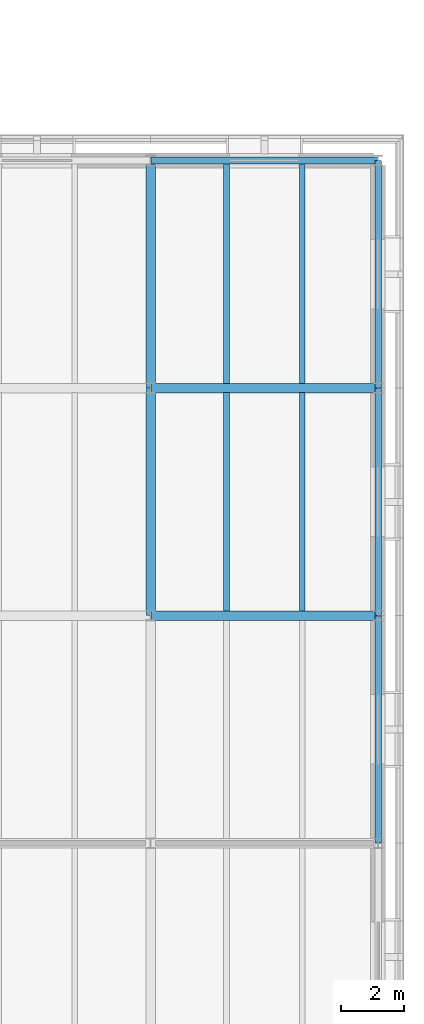
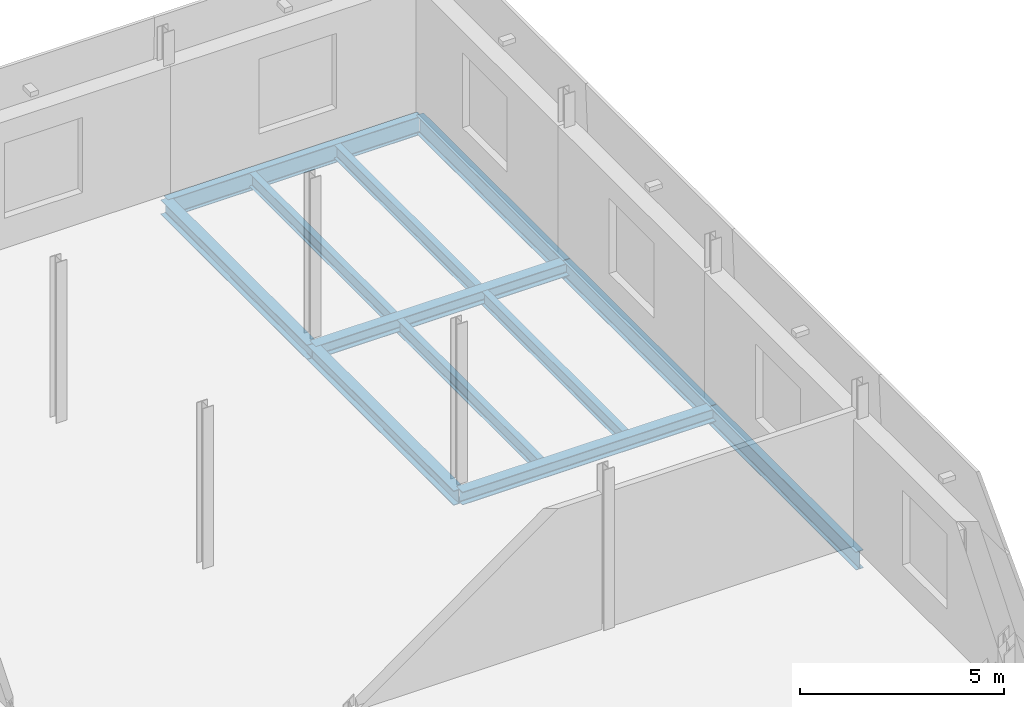
# One storey, part 43 of 121: 12 beams.
"""IFC4 building model written with IfcOpenShell, lengths in metres."""

from ifc_helpers import new_model, si_unit, direction, frame, origin, origin_2d, place, context, subcontext, project, spatial, i_section, extrude, material, material_profile, profile_set, type_object, element, save


model = new_model("IFC4")

# Units and contexts
model_context = context("Model", 3, precision=1e-05, world=origin(), true_north=direction((0.0, 1.0)))
body_context = subcontext(model_context, "Body", "Model", "MODEL_VIEW")
ifc_project = project(units=[si_unit("LENGTHUNIT", "METRE"), si_unit("AREAUNIT", "SQUARE_METRE"), si_unit("VOLUMEUNIT", "CUBIC_METRE"), si_unit("PLANEANGLEUNIT", "RADIAN"), si_unit("MASSUNIT", "GRAM", prefix="KILO")], contexts=[model_context])

# Site, building, storey
site_placement = place(None, origin())
site = spatial("IfcSite", under=ifc_project, at=site_placement, CompositionType="ELEMENT")
building_placement = place(site_placement, origin())
building = spatial("IfcBuilding", under=site, at=building_placement, Name="Narikvali Park Central Library", CompositionType="ELEMENT")
storey_placement = place(building_placement, frame((0.0, 0.0, 5.39990234375)))
storey = spatial("IfcBuildingStorey", under=building, at=storey_placement, Name="L01", CompositionType="ELEMENT", Elevation=5.39990234375)

# Beams
ifc_material = material(Name="Steel S355", Category="steel")
ifc_material_profile_1 = material_profile(ifc_material, i_section(OverallWidth=0.179931640625, OverallDepth=0.39990234375, WebThickness=0.008544921875, FlangeThickness=0.013427734375, FilletRadius=0.02099609375, at=origin_2d()), Name="IPE 400")
ifc_profile_set_1 = profile_set([ifc_material_profile_1], Name="Steel S355")
beam_type_1 = type_object("IfcBeamType", Name="Composite Floor Joist IPE400", PredefinedType="JOIST", material=ifc_profile_set_1)
for number, where, z_axis, x_axis, name in (
    (1, (160.800048828125, 36.14990234375, -0.47998046875), (0.0, 1.0, 0.0), (-1.0, 0.0, 0.0), "V6 L01 Composite Joist 1"),
    (2, (163.199951171875, 36.14990234375, -0.47998046875), (0.0, 1.0, 0.0), (-1.0, 0.0, 0.0), "V6 L01 Composite Joist 2"),
):
    element("IfcBeam", number, at=place(storey_placement, frame(where, z_axis=z_axis, x_axis=x_axis)), inside=storey, type_object=beam_type_1, Name=name, PredefinedType="JOIST", context=body_context, shape_type="SweptSolid", body=[
        extrude(i_section(OverallWidth=0.179931640625, OverallDepth=0.39990234375, WebThickness=0.008544921875, FlangeThickness=0.013427734375, FilletRadius=0.02099609375, at=origin_2d()), origin(), (0.0, 0.0, 1.0), 6.900146484375),
    ])
for number, where, z_axis, x_axis, name in (
    (3, (160.800048828125, 43.35009765625, -0.47998046875), (0.0, 1.0, 0.0), (-1.0, 0.0, 0.0), "V6 L01 Composite Joist 1"),
    (4, (163.199951171875, 43.35009765625, -0.47998046875), (0.0, 1.0, 0.0), (-1.0, 0.0, 0.0), "V6 L01 Composite Joist 2"),
):
    element("IfcBeam", number, at=place(storey_placement, frame(where, z_axis=z_axis, x_axis=x_axis)), inside=storey, type_object=beam_type_1, Name=name, PredefinedType="JOIST", context=body_context, shape_type="SweptSolid", body=[
        extrude(i_section(OverallWidth=0.179931640625, OverallDepth=0.39990234375, WebThickness=0.008544921875, FlangeThickness=0.013427734375, FilletRadius=0.02099609375, at=origin_2d()), origin(), (0.0, 0.0, 1.0), 6.94482421875),
    ])
ifc_material_profile_2 = material_profile(ifc_material, i_section(OverallWidth=0.2099609375, OverallDepth=0.550048828125, WebThickness=0.010986328125, FlangeThickness=0.01708984375, FilletRadius=0.02392578125, at=origin_2d()), Name="IPE 550")
ifc_profile_set_2 = profile_set([ifc_material_profile_2], Name="Steel S355")
beam_type_2 = type_object("IfcBeamType", Name="Perimeter Spandrel IPE550", PredefinedType="SPANDREL", material=ifc_profile_set_2)
beam_1_placement = place(storey_placement, frame((158.407958984375, 50.39990234375, -0.554931640625), z_axis=(1.0, 0.0, 0.0), x_axis=(0.0, 1.0, 0.0)))
element("IfcBeam", 5, at=beam_1_placement, inside=storey, type_object=beam_type_2, Name="V6 L01 Girder X", PredefinedType="SPANDREL", context=body_context, shape_type="SweptSolid", body=[
    extrude(i_section(OverallWidth=0.2099609375, OverallDepth=0.550048828125, WebThickness=0.010986328125, FlangeThickness=0.01708984375, FilletRadius=0.02392578125, at=origin_2d()), origin(), (0.0, 0.0, 1.0), 7.18408203125),
])
for number, where, z_axis, x_axis, name in (
    (6, (165.60009765625, 28.80810546875, -0.554931640625), (0.0, 1.0, 0.0), (-1.0, 0.0, 0.0), "V6 L01 Girder Y"),
    (7, (165.60009765625, 36.008056640625, -0.554931640625), (0.0, 1.0, 0.0), (-1.0, 0.0, 0.0), "V6 L01 Girder Y"),
):
    element("IfcBeam", number, at=place(storey_placement, frame(where, z_axis=z_axis, x_axis=x_axis)), inside=storey, type_object=beam_type_2, Name=name, PredefinedType="SPANDREL", context=body_context, shape_type="SweptSolid", body=[
        extrude(i_section(OverallWidth=0.2099609375, OverallDepth=0.550048828125, WebThickness=0.010986328125, FlangeThickness=0.01708984375, FilletRadius=0.02392578125, at=origin_2d()), origin(), (0.0, 0.0, 1.0), 7.183837890625),
    ])
beam_2_placement = place(storey_placement, frame((165.60009765625, 43.2080078125, -0.554931640625), z_axis=(0.0, 1.0, 0.0), x_axis=(-1.0, 0.0, 0.0)))
element("IfcBeam", 8, at=beam_2_placement, inside=storey, type_object=beam_type_2, Name="V6 L01 Girder Y", PredefinedType="SPANDREL", context=body_context, shape_type="SweptSolid", body=[
    extrude(i_section(OverallWidth=0.2099609375, OverallDepth=0.550048828125, WebThickness=0.010986328125, FlangeThickness=0.01708984375, FilletRadius=0.02392578125, at=origin_2d()), origin(), (0.0, 0.0, 1.0), 7.18408203125),
])
ifc_material_profile_3 = material_profile(ifc_material, i_section(OverallWidth=0.300048828125, OverallDepth=0.389892578125, WebThickness=0.010986328125, FlangeThickness=0.01904296875, FilletRadius=0.027099609375, at=origin_2d()), Name="HEA 400")
ifc_profile_set_3 = profile_set([ifc_material_profile_3], Name="Steel S355")
beam_type_3 = type_object("IfcBeamType", Name="Primary Girder HEA400", PredefinedType="BEAM", material=ifc_profile_set_3)
for number, where, z_axis, x_axis, name in (
    (9, (158.407958984375, 36.0, -0.474853515625), (1.0, 0.0, 0.0), (0.0, 1.0, 0.0), "V6 L01 Girder X"),
    (10, (158.407958984375, 43.199951171875, -0.474853515625), (1.0, 0.0, 0.0), (0.0, 1.0, 0.0), "V6 L01 Girder X"),
):
    element("IfcBeam", number, at=place(storey_placement, frame(where, z_axis=z_axis, x_axis=x_axis)), inside=storey, type_object=beam_type_3, Name=name, PredefinedType="BEAM", context=body_context, shape_type="SweptSolid", body=[
        extrude(i_section(OverallWidth=0.300048828125, OverallDepth=0.389892578125, WebThickness=0.010986328125, FlangeThickness=0.01904296875, FilletRadius=0.027099609375, at=origin_2d()), origin(), (0.0, 0.0, 1.0), 7.18408203125),
    ])
ifc_material_profile_4 = material_profile(ifc_material, i_section(OverallWidth=0.300048828125, OverallDepth=0.43994140625, WebThickness=0.011474609375, FlangeThickness=0.02099609375, FilletRadius=0.027099609375, at=origin_2d()), Name="HEA 450")
ifc_profile_set_4 = profile_set([ifc_material_profile_4], Name="Steel S355")
beam_type_4 = type_object("IfcBeamType", Name="Primary Girder HEA450", PredefinedType="BEAM", material=ifc_profile_set_4)
beam_3_placement = place(storey_placement, frame((158.39990234375, 36.008056640625, -0.5), z_axis=(0.0, 1.0, 0.0), x_axis=(-1.0, 0.0, 0.0)))
element("IfcBeam", 11, at=beam_3_placement, inside=storey, type_object=beam_type_4, Name="V6 L01 Girder Y", PredefinedType="BEAM", context=body_context, shape_type="SweptSolid", body=[
    extrude(i_section(OverallWidth=0.300048828125, OverallDepth=0.43994140625, WebThickness=0.011474609375, FlangeThickness=0.02099609375, FilletRadius=0.027099609375, at=origin_2d()), origin(), (0.0, 0.0, 1.0), 7.183837890625),
])
beam_4_placement = place(storey_placement, frame((158.39990234375, 43.2080078125, -0.5), z_axis=(0.0, 1.0, 0.0), x_axis=(-1.0, 0.0, 0.0)))
element("IfcBeam", 12, at=beam_4_placement, inside=storey, type_object=beam_type_4, Name="V6 L01 Girder Y", PredefinedType="BEAM", context=body_context, shape_type="SweptSolid", body=[
    extrude(i_section(OverallWidth=0.300048828125, OverallDepth=0.43994140625, WebThickness=0.011474609375, FlangeThickness=0.02099609375, FilletRadius=0.027099609375, at=origin_2d()), origin(), (0.0, 0.0, 1.0), 7.18408203125),
])

save(model, "model.ifc")
